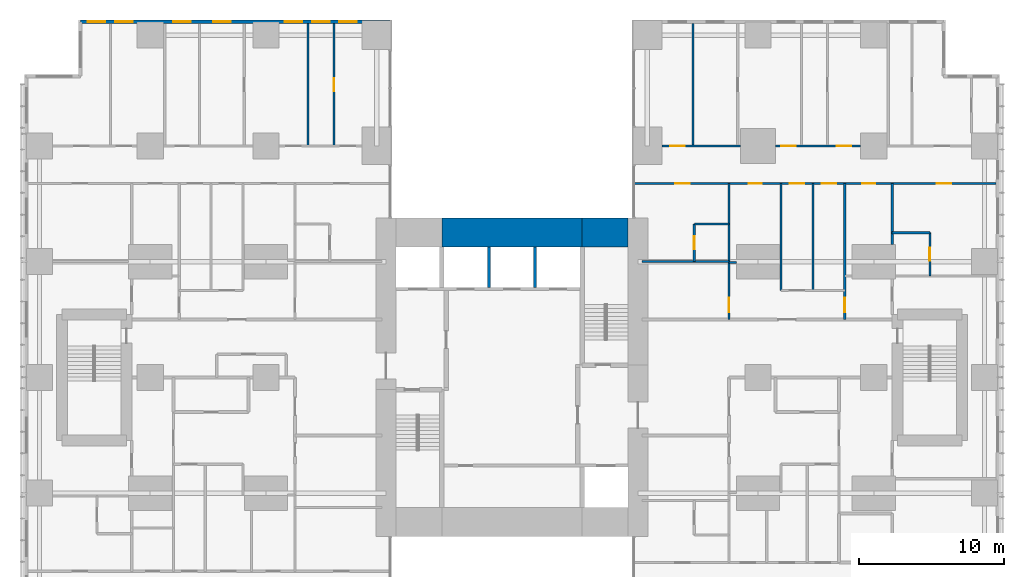
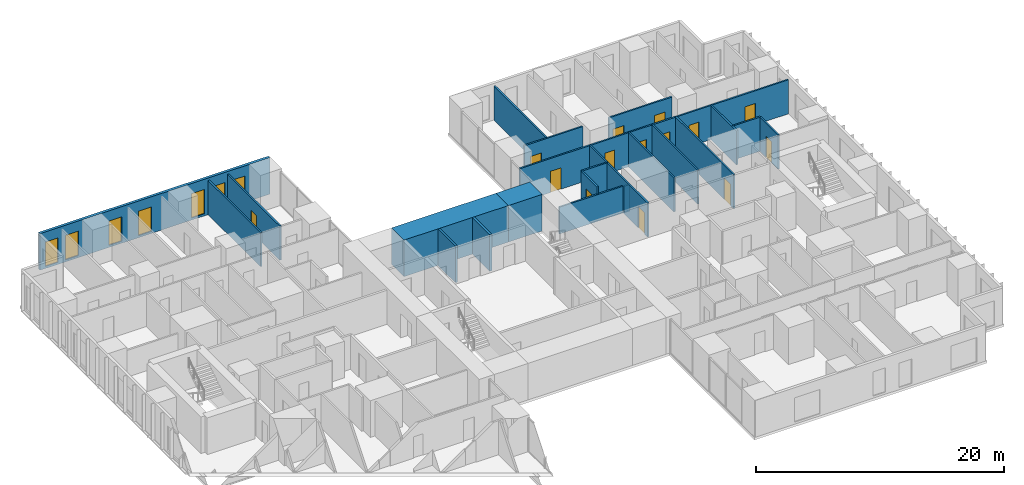
# One storey, part 17 of 20: 22 walls, 14 doors, 7 windows, 21 openings.
"""IFC4 building model written with IfcOpenShell, lengths in metres."""

from ifc_helpers import new_model, si_unit, direction, frame, frame_2d, origin, place, context, subcontext, project, spatial, rectangle, extrude, material, layer, layer_set, type_object, element, fill, save


model = new_model("IFC4")

# Units and contexts
model_context = context("Model", 3, precision=1e-05, world=origin(), true_north=direction((0.0, 1.0)))
body_context = subcontext(model_context, "Body", "Model", "MODEL_VIEW")
ifc_project = project(units=[si_unit("LENGTHUNIT", "METRE"), si_unit("AREAUNIT", "SQUARE_METRE"), si_unit("VOLUMEUNIT", "CUBIC_METRE"), si_unit("PLANEANGLEUNIT", "RADIAN"), si_unit("MASSUNIT", "GRAM", prefix="KILO")], contexts=[model_context])

# Site, building, storey
site_placement = place(None, origin())
site = spatial("IfcSite", under=ifc_project, at=site_placement, CompositionType="ELEMENT")
building_placement = place(site_placement, origin())
building = spatial("IfcBuilding", under=site, at=building_placement, Name="Cleftline Residences", CompositionType="ELEMENT")
storey_placement = place(building_placement, frame((0.0, 0.0, 189.39990234375)))
storey = spatial("IfcBuildingStorey", under=building, at=storey_placement, Name="L49", CompositionType="ELEMENT", Elevation=189.39990234375)

# Walls
ifc_material_1 = material(Name="Concrete B70", Category="concrete")
ifc_layer_1 = layer(ifc_material_1, 2.0)
ifc_layer_set_1 = layer_set([ifc_layer_1], Name="CORE WALL 2000")
wall_type_1 = type_object("IfcWallType", Name="CORE WALL 2000", PredefinedType="SHEAR", material=ifc_layer_set_1)
wall_1_placement = place(storey_placement, frame((28.14990234375, 34.0, 0.0), z_axis=(0.0, 0.0, 1.0), x_axis=(1.0, 0.0, 0.0)))
element("IfcWall", 1, at=wall_1_placement, inside=storey, type_object=wall_type_1, Name="Core wall N2", PredefinedType="SHEAR", context=body_context, shape_type="SweptSolid", body=[
    extrude(rectangle(XDim=9.7001953125, YDim=2.0, at=frame_2d((4.85009765625, 0.0))), origin(), (0.0, 0.0, 1.0), 3.60009765625),
])
wall_2_placement = place(storey_placement, frame((37.85009765625, 34.0, 0.0), z_axis=(0.0, 0.0, 1.0), x_axis=(1.0, 0.0, 0.0)))
element("IfcWall", 2, at=wall_2_placement, inside=storey, type_object=wall_type_1, Name="Core wall N3", PredefinedType="SHEAR", context=body_context, shape_type="SweptSolid", body=[
    extrude(rectangle(XDim=3.14990234375, YDim=2.0, at=frame_2d((1.574951171875, 0.0))), origin(), (0.0, 0.0, 1.0), 3.60009765625),
])

# Wall, openings, windows
ifc_material_2 = material(Name="Rendered reinforced concrete blockwork", Category="masonry")
ifc_layer_2 = layer(ifc_material_2, 0.25)
ifc_layer_set_2 = layer_set([ifc_layer_2], Name="EXTERNAL WALL 250")
wall_type_2 = type_object("IfcWallType", Name="EXTERNAL WALL 250", PredefinedType="SOLIDWALL", material=ifc_layer_set_2)
wall_3_placement = place(storey_placement, frame((24.574951171875, 48.574951171875, 0.0), z_axis=(0.0, 0.0, 1.0), x_axis=(-1.0, 0.0, 0.0)))
wall_3 = element("IfcWall", 3, at=wall_3_placement, inside=storey, type_object=wall_type_2, Name="External wall", PredefinedType="SOLIDWALL", context=body_context, shape_type="SweptSolid", body=[
    extrude(rectangle(XDim=21.39990234375, YDim=0.25, at=frame_2d((10.699951171875, 0.0))), origin(), (0.0, 0.0, 1.0), 3.60009765625),
])
opening_1_placement = place(wall_3_placement, frame((2.300048828125, 0.0, 0.199951171875)))
opening_1 = element("IfcOpeningElement", 4, at=opening_1_placement, cuts=wall_3, Name="Opening W13", PredefinedType="OPENING", context=body_context, shape_type="SweptSolid", body=[
    extrude(rectangle(XDim=1.199951171875, YDim=2.39990234375, at=frame_2d((0.60009765625, 1.199951171875))), frame((0.0, 0.135009765625, 0.0), z_axis=(0.0, -1.0, 0.0), x_axis=(1.0, 0.0, 0.0)), (0.0, 0.0, 1.0), 0.27001953125),
])
opening_2_placement = place(wall_3_placement, frame((4.175048828125, 0.0, 0.199951171875)))
opening_2 = element("IfcOpeningElement", 5, at=opening_2_placement, cuts=wall_3, Name="Opening W13", PredefinedType="OPENING", context=body_context, shape_type="SweptSolid", body=[
    extrude(rectangle(XDim=1.199951171875, YDim=2.39990234375, at=frame_2d((0.60009765625, 1.199951171875))), frame((0.0, 0.135009765625, 0.0), z_axis=(0.0, -1.0, 0.0), x_axis=(1.0, 0.0, 0.0)), (0.0, 0.0, 1.0), 0.27001953125),
])
opening_3_placement = place(wall_3_placement, frame((6.074951171875, 0.0, 0.199951171875)))
opening_3 = element("IfcOpeningElement", 6, at=opening_3_placement, cuts=wall_3, Name="Opening W13", PredefinedType="OPENING", context=body_context, shape_type="SweptSolid", body=[
    extrude(rectangle(XDim=1.199951171875, YDim=2.39990234375, at=frame_2d((0.60009765625, 1.199951171875))), frame((0.0, 0.135009765625, 0.0), z_axis=(0.0, -1.0, 0.0), x_axis=(1.0, 0.0, 0.0)), (0.0, 0.0, 1.0), 0.27001953125),
])
opening_4_placement = place(wall_3_placement, frame((11.02490234375, 0.0, 0.199951171875)))
opening_4 = element("IfcOpeningElement", 7, at=opening_4_placement, cuts=wall_3, Name="Opening W13", PredefinedType="OPENING", context=body_context, shape_type="SweptSolid", body=[
    extrude(rectangle(XDim=1.199951171875, YDim=2.39990234375, at=frame_2d((0.60009765625, 1.199951171875))), frame((0.0, 0.135009765625, 0.0), z_axis=(0.0, -1.0, 0.0), x_axis=(1.0, 0.0, 0.0)), (0.0, 0.0, 1.0), 0.27001953125),
])
opening_5_placement = place(wall_3_placement, frame((13.77490234375, 0.0, 0.199951171875)))
opening_5 = element("IfcOpeningElement", 8, at=opening_5_placement, cuts=wall_3, Name="Opening W13", PredefinedType="OPENING", context=body_context, shape_type="SweptSolid", body=[
    extrude(rectangle(XDim=1.199951171875, YDim=2.39990234375, at=frame_2d((0.60009765625, 1.199951171875))), frame((0.0, 0.135009765625, 0.0), z_axis=(0.0, -1.0, 0.0), x_axis=(1.0, 0.0, 0.0)), (0.0, 0.0, 1.0), 0.27001953125),
])
opening_6_placement = place(wall_3_placement, frame((17.800048828125, 0.0, 0.199951171875)))
opening_6 = element("IfcOpeningElement", 9, at=opening_6_placement, cuts=wall_3, Name="Opening W13", PredefinedType="OPENING", context=body_context, shape_type="SweptSolid", body=[
    extrude(rectangle(XDim=1.199951171875, YDim=2.39990234375, at=frame_2d((0.60009765625, 1.199951171875))), frame((0.0, 0.135009765625, 0.0), z_axis=(0.0, -1.0, 0.0), x_axis=(1.0, 0.0, 0.0)), (0.0, 0.0, 1.0), 0.27001953125),
])
opening_7_placement = place(wall_3_placement, frame((19.699951171875, 0.0, 0.199951171875)))
opening_7 = element("IfcOpeningElement", 10, at=opening_7_placement, cuts=wall_3, Name="Opening W13", PredefinedType="OPENING", context=body_context, shape_type="SweptSolid", body=[
    extrude(rectangle(XDim=1.199951171875, YDim=2.39990234375, at=frame_2d((0.60009765625, 1.199951171875))), frame((0.0, 0.135009765625, 0.0), z_axis=(0.0, -1.0, 0.0), x_axis=(1.0, 0.0, 0.0)), (0.0, 0.0, 1.0), 0.27001953125),
])
ifc_material_3 = material(Name="Aluminium frame, clear double glazing", Category="aluminium")
window_type = type_object("IfcWindowType", Name="WINDOW 1200X2400", PartitioningType="DOUBLE_PANEL_VERTICAL", PredefinedType="WINDOW", material=ifc_material_3)
window_1_placement = place(opening_1_placement, origin())
window_1 = element("IfcWindow", 11, at=window_1_placement, inside=storey, type_object=window_type, Name="Window", OverallHeight=2.39990234375, OverallWidth=1.199951171875, PartitioningType="SINGLE_PANEL", PredefinedType="WINDOW", context=body_context, shape_type="SweptSolid", body=[
    extrude(rectangle(XDim=1.199951171875, YDim=2.39990234375, at=frame_2d((0.60009765625, 1.199951171875))), frame((0.0, 0.030029296875, 0.0), z_axis=(0.0, -1.0, 0.0), x_axis=(1.0, 0.0, 0.0)), (0.0, 0.0, 1.0), 0.06005859375),
])
fill(opening_1, window_1)
window_2_placement = place(opening_2_placement, origin())
window_2 = element("IfcWindow", 12, at=window_2_placement, inside=storey, type_object=window_type, Name="Window", OverallHeight=2.39990234375, OverallWidth=1.199951171875, PartitioningType="SINGLE_PANEL", PredefinedType="WINDOW", context=body_context, shape_type="SweptSolid", body=[
    extrude(rectangle(XDim=1.199951171875, YDim=2.39990234375, at=frame_2d((0.60009765625, 1.199951171875))), frame((0.0, 0.030029296875, 0.0), z_axis=(0.0, -1.0, 0.0), x_axis=(1.0, 0.0, 0.0)), (0.0, 0.0, 1.0), 0.06005859375),
])
fill(opening_2, window_2)
window_3_placement = place(opening_3_placement, origin())
window_3 = element("IfcWindow", 13, at=window_3_placement, inside=storey, type_object=window_type, Name="Window", OverallHeight=2.39990234375, OverallWidth=1.199951171875, PartitioningType="SINGLE_PANEL", PredefinedType="WINDOW", context=body_context, shape_type="SweptSolid", body=[
    extrude(rectangle(XDim=1.199951171875, YDim=2.39990234375, at=frame_2d((0.60009765625, 1.199951171875))), frame((0.0, 0.030029296875, 0.0), z_axis=(0.0, -1.0, 0.0), x_axis=(1.0, 0.0, 0.0)), (0.0, 0.0, 1.0), 0.06005859375),
])
fill(opening_3, window_3)
window_4_placement = place(opening_4_placement, origin())
window_4 = element("IfcWindow", 14, at=window_4_placement, inside=storey, type_object=window_type, Name="Window", OverallHeight=2.39990234375, OverallWidth=1.199951171875, PartitioningType="SINGLE_PANEL", PredefinedType="WINDOW", context=body_context, shape_type="SweptSolid", body=[
    extrude(rectangle(XDim=1.199951171875, YDim=2.39990234375, at=frame_2d((0.60009765625, 1.199951171875))), frame((0.0, 0.030029296875, 0.0), z_axis=(0.0, -1.0, 0.0), x_axis=(1.0, 0.0, 0.0)), (0.0, 0.0, 1.0), 0.06005859375),
])
fill(opening_4, window_4)
window_5_placement = place(opening_5_placement, origin())
window_5 = element("IfcWindow", 15, at=window_5_placement, inside=storey, type_object=window_type, Name="Window", OverallHeight=2.39990234375, OverallWidth=1.199951171875, PartitioningType="SINGLE_PANEL", PredefinedType="WINDOW", context=body_context, shape_type="SweptSolid", body=[
    extrude(rectangle(XDim=1.199951171875, YDim=2.39990234375, at=frame_2d((0.60009765625, 1.199951171875))), frame((0.0, 0.030029296875, 0.0), z_axis=(0.0, -1.0, 0.0), x_axis=(1.0, 0.0, 0.0)), (0.0, 0.0, 1.0), 0.06005859375),
])
fill(opening_5, window_5)
window_6_placement = place(opening_6_placement, origin())
window_6 = element("IfcWindow", 16, at=window_6_placement, inside=storey, type_object=window_type, Name="Window", OverallHeight=2.39990234375, OverallWidth=1.199951171875, PartitioningType="SINGLE_PANEL", PredefinedType="WINDOW", context=body_context, shape_type="SweptSolid", body=[
    extrude(rectangle(XDim=1.199951171875, YDim=2.39990234375, at=frame_2d((0.60009765625, 1.199951171875))), frame((0.0, 0.030029296875, 0.0), z_axis=(0.0, -1.0, 0.0), x_axis=(1.0, 0.0, 0.0)), (0.0, 0.0, 1.0), 0.06005859375),
])
fill(opening_6, window_6)
window_7_placement = place(opening_7_placement, origin())
window_7 = element("IfcWindow", 17, at=window_7_placement, inside=storey, type_object=window_type, Name="Window", OverallHeight=2.39990234375, OverallWidth=1.199951171875, PartitioningType="SINGLE_PANEL", PredefinedType="WINDOW", context=body_context, shape_type="SweptSolid", body=[
    extrude(rectangle(XDim=1.199951171875, YDim=2.39990234375, at=frame_2d((0.60009765625, 1.199951171875))), frame((0.0, 0.030029296875, 0.0), z_axis=(0.0, -1.0, 0.0), x_axis=(1.0, 0.0, 0.0)), (0.0, 0.0, 1.0), 0.06005859375),
])
fill(opening_7, window_7)

# Walls
ifc_material_4 = material(Name="Gypsum board on steel studs", Category="steel")
ifc_layer_3 = layer(ifc_material_4, 0.14990234375)
ifc_layer_set_3 = layer_set([ifc_layer_3], Name="PARTITION 150")
wall_type_3 = type_object("IfcWallType", Name="PARTITION 150", PredefinedType="PARTITIONING", material=ifc_layer_set_3)
wall_4_placement = place(storey_placement, frame((48.0, 31.949951171875, 0.0), z_axis=(0.0, 0.0, 1.0), x_axis=(1.0, 0.0, 0.0)))
element("IfcWall", 18, at=wall_4_placement, inside=storey, type_object=wall_type_3, Name="Partition", PredefinedType="PARTITIONING", context=body_context, shape_type="SweptSolid", body=[
    extrude(rectangle(XDim=0.5, YDim=0.14990234375, at=frame_2d((0.25, 0.0))), origin(), (0.0, 0.0, 1.0), 2.634033203125),
])
wall_5_placement = place(storey_placement, frame((42.0, 32.0, 0.0), z_axis=(0.0, 0.0, 1.0), x_axis=(1.0, 0.0, 0.0)))
element("IfcWall", 19, at=wall_5_placement, inside=storey, type_object=wall_type_3, Name="Partition", PredefinedType="PARTITIONING", context=body_context, shape_type="SweptSolid", body=[
    extrude(rectangle(XDim=6.0, YDim=0.14990234375, at=frame_2d((3.0, 0.0))), origin(), (0.0, 0.0, 1.0), 2.634033203125),
])
wall_6_placement = place(storey_placement, frame((59.27490234375, 34.0, 0.0), z_axis=(0.0, 0.0, 1.0), x_axis=(1.0, 0.0, 0.0)))
element("IfcWall", 20, at=wall_6_placement, inside=storey, type_object=wall_type_3, Name="Partition", PredefinedType="PARTITIONING", context=body_context, shape_type="SweptSolid", body=[
    extrude(rectangle(XDim=2.60009765625, YDim=0.14990234375, at=frame_2d((1.300048828125, 0.0))), origin(), (0.0, 0.0, 1.0), 3.35009765625),
])
wall_7_placement = place(storey_placement, frame((45.60009765625, 34.60009765625, 0.0), z_axis=(0.0, 0.0, 1.0), x_axis=(1.0, 0.0, 0.0)))
element("IfcWall", 21, at=wall_7_placement, inside=storey, type_object=wall_type_3, Name="Partition", PredefinedType="PARTITIONING", context=body_context, shape_type="SweptSolid", body=[
    extrude(rectangle(XDim=2.39990234375, YDim=0.14990234375, at=frame_2d((1.199951171875, 0.0))), origin(), (0.0, 0.0, 1.0), 3.35009765625),
])

# Wall, openings, doors
wall_8_placement = place(storey_placement, frame((41.43896484375, 37.39990234375, 0.0), z_axis=(0.0, 0.0, 1.0), x_axis=(1.0, 0.0, 0.0)))
wall_8 = element("IfcWall", 22, at=wall_8_placement, inside=storey, type_object=wall_type_3, Name="Partition", PredefinedType="PARTITIONING", context=body_context, shape_type="SweptSolid", body=[
    extrude(rectangle(XDim=25.010986328125, YDim=0.14990234375, at=frame_2d((12.50537109375, 0.0))), origin(), (0.0, 0.0, 1.0), 3.35009765625),
])
opening_8_placement = place(wall_8_placement, frame((10.760986328125, 0.0, 0.0)))
opening_8 = element("IfcOpeningElement", 23, at=opening_8_placement, cuts=wall_8, Name="Opening D2", PredefinedType="OPENING", context=body_context, shape_type="SweptSolid", body=[
    extrude(rectangle(XDim=1.0, YDim=2.10009765625, at=frame_2d((0.5, 1.050048828125))), frame((0.0, 0.0849609375, 0.0), z_axis=(0.0, -1.0, 0.0), x_axis=(1.0, 0.0, 0.0)), (0.0, 0.0, 1.0), 0.169921875),
])
opening_9_placement = place(wall_8_placement, frame((20.923583984375, 0.0, 0.0)))
opening_9 = element("IfcOpeningElement", 24, at=opening_9_placement, cuts=wall_8, Name="Opening D2", PredefinedType="OPENING", context=body_context, shape_type="SweptSolid", body=[
    extrude(rectangle(XDim=1.0, YDim=2.10009765625, at=frame_2d((0.5, 1.050048828125))), frame((0.0, 0.0849609375, 0.0), z_axis=(0.0, -1.0, 0.0), x_axis=(1.0, 0.0, 0.0)), (0.0, 0.0, 1.0), 0.169921875),
])
opening_10_placement = place(wall_8_placement, frame((15.74853515625, 0.0, 0.0)))
opening_10 = element("IfcOpeningElement", 25, at=opening_10_placement, cuts=wall_8, Name="Opening D1", PredefinedType="OPENING", context=body_context, shape_type="SweptSolid", body=[
    extrude(rectangle(XDim=0.89990234375, YDim=2.10009765625, at=frame_2d((0.449951171875, 1.050048828125))), frame((0.0, 0.0849609375, 0.0), z_axis=(0.0, -1.0, 0.0), x_axis=(1.0, 0.0, 0.0)), (0.0, 0.0, 1.0), 0.169921875),
])
opening_11_placement = place(wall_8_placement, frame((12.9609375, 0.0, 0.0)))
opening_11 = element("IfcOpeningElement", 26, at=opening_11_placement, cuts=wall_8, Name="Opening D2", PredefinedType="OPENING", context=body_context, shape_type="SweptSolid", body=[
    extrude(rectangle(XDim=1.0, YDim=2.10009765625, at=frame_2d((0.5, 1.050048828125))), frame((0.0, 0.0849609375, 0.0), z_axis=(0.0, -1.0, 0.0), x_axis=(1.0, 0.0, 0.0)), (0.0, 0.0, 1.0), 0.169921875),
])
opening_12_placement = place(wall_8_placement, frame((7.910888671875, 0.0, 0.0)))
opening_12 = element("IfcOpeningElement", 27, at=opening_12_placement, cuts=wall_8, Name="Opening D1", PredefinedType="OPENING", context=body_context, shape_type="SweptSolid", body=[
    extrude(rectangle(XDim=0.89990234375, YDim=2.10009765625, at=frame_2d((0.449951171875, 1.050048828125))), frame((0.0, 0.0849609375, 0.0), z_axis=(0.0, -1.0, 0.0), x_axis=(1.0, 0.0, 0.0)), (0.0, 0.0, 1.0), 0.169921875),
])
opening_13_placement = place(wall_8_placement, frame((2.8359375, 0.0, 0.0)))
opening_13 = element("IfcOpeningElement", 28, at=opening_13_placement, cuts=wall_8, Name="Opening D2", PredefinedType="OPENING", context=body_context, shape_type="SweptSolid", body=[
    extrude(rectangle(XDim=1.0, YDim=2.10009765625, at=frame_2d((0.5, 1.050048828125))), frame((0.0, 0.0849609375, 0.0), z_axis=(0.0, -1.0, 0.0), x_axis=(1.0, 0.0, 0.0)), (0.0, 0.0, 1.0), 0.169921875),
])
ifc_material_5 = material(Name="Timber veneer on solid core", Category="wood")
door_type_1 = type_object("IfcDoorType", Name="DOOR 1000X2100", OperationType="SINGLE_SWING_LEFT", PredefinedType="DOOR", material=ifc_material_5)
door_1_placement = place(opening_8_placement, origin())
door_1 = element("IfcDoor", 29, at=door_1_placement, inside=storey, type_object=door_type_1, Name="Door to residence hall", OperationType="SINGLE_SWING_RIGHT", OverallHeight=2.10009765625, OverallWidth=1.0, PredefinedType="DOOR", context=body_context, shape_type="SweptSolid", body=[
    extrude(rectangle(XDim=1.0, YDim=2.10009765625, at=frame_2d((0.5, 1.050048828125))), frame((0.0, 0.02490234375, 0.0), z_axis=(0.0, -1.0, 0.0), x_axis=(1.0, 0.0, 0.0)), (0.0, 0.0, 1.0), 0.050048828125),
])
fill(opening_8, door_1)
door_2_placement = place(opening_9_placement, origin())
door_2 = element("IfcDoor", 30, at=door_2_placement, inside=storey, type_object=door_type_1, Name="Door to master bedroom", OperationType="SINGLE_SWING_LEFT", OverallHeight=2.10009765625, OverallWidth=1.0, PredefinedType="DOOR", context=body_context, shape_type="SweptSolid", body=[
    extrude(rectangle(XDim=1.0, YDim=2.10009765625, at=frame_2d((0.5, 1.050048828125))), frame((0.0, 0.02490234375, 0.0), z_axis=(0.0, -1.0, 0.0), x_axis=(1.0, 0.0, 0.0)), (0.0, 0.0, 1.0), 0.050048828125),
])
fill(opening_9, door_2)
door_3_placement = place(opening_11_placement, origin())
door_3 = element("IfcDoor", 31, at=door_3_placement, inside=storey, type_object=door_type_1, Name="Door to media room", OperationType="SINGLE_SWING_LEFT", OverallHeight=2.10009765625, OverallWidth=1.0, PredefinedType="DOOR", context=body_context, shape_type="SweptSolid", body=[
    extrude(rectangle(XDim=1.0, YDim=2.10009765625, at=frame_2d((0.5, 1.050048828125))), frame((0.0, 0.02490234375, 0.0), z_axis=(0.0, -1.0, 0.0), x_axis=(1.0, 0.0, 0.0)), (0.0, 0.0, 1.0), 0.050048828125),
])
fill(opening_11, door_3)
door_4_placement = place(opening_13_placement, origin())
door_4 = element("IfcDoor", 32, at=door_4_placement, inside=storey, type_object=door_type_1, Name="Door to bedroom 5", OperationType="SINGLE_SWING_RIGHT", OverallHeight=2.10009765625, OverallWidth=1.0, PredefinedType="DOOR", context=body_context, shape_type="SweptSolid", body=[
    extrude(rectangle(XDim=1.0, YDim=2.10009765625, at=frame_2d((0.5, 1.050048828125))), frame((0.0, 0.02490234375, 0.0), z_axis=(0.0, -1.0, 0.0), x_axis=(1.0, 0.0, 0.0)), (0.0, 0.0, 1.0), 0.050048828125),
])
fill(opening_13, door_4)
ifc_material_6 = material(Name="Timber veneer on solid core", Category="wood")
door_type_2 = type_object("IfcDoorType", Name="DOOR 900X2100", OperationType="SINGLE_SWING_LEFT", PredefinedType="DOOR", material=ifc_material_6)
door_5_placement = place(opening_10_placement, origin())
door_5 = element("IfcDoor", 33, at=door_5_placement, inside=storey, type_object=door_type_2, Name="Door to bedroom 2 bathroom", OperationType="SINGLE_SWING_LEFT", OverallHeight=2.10009765625, OverallWidth=0.89990234375, PredefinedType="DOOR", context=body_context, shape_type="SweptSolid", body=[
    extrude(rectangle(XDim=0.89990234375, YDim=2.10009765625, at=frame_2d((0.449951171875, 1.050048828125))), frame((0.0, 0.02490234375, 0.0), z_axis=(0.0, -1.0, 0.0), x_axis=(1.0, 0.0, 0.0)), (0.0, 0.0, 1.0), 0.050048828125),
])
fill(opening_10, door_5)
door_6_placement = place(opening_12_placement, origin())
door_6 = element("IfcDoor", 34, at=door_6_placement, inside=storey, type_object=door_type_2, Name="Door to linen store", OperationType="SINGLE_SWING_RIGHT", OverallHeight=2.10009765625, OverallWidth=0.89990234375, PredefinedType="DOOR", context=body_context, shape_type="SweptSolid", body=[
    extrude(rectangle(XDim=0.89990234375, YDim=2.10009765625, at=frame_2d((0.449951171875, 1.050048828125))), frame((0.0, 0.02490234375, 0.0), z_axis=(0.0, -1.0, 0.0), x_axis=(1.0, 0.0, 0.0)), (0.0, 0.0, 1.0), 0.050048828125),
])
fill(opening_12, door_6)

# Wall, opening, door
wall_9_placement = place(storey_placement, frame((43.35009765625, 40.0, 0.0), z_axis=(0.0, 0.0, 1.0), x_axis=(1.0, 0.0, 0.0)))
wall_9 = element("IfcWall", 35, at=wall_9_placement, inside=storey, type_object=wall_type_3, Name="Partition", PredefinedType="PARTITIONING", context=body_context, shape_type="SweptSolid", body=[
    extrude(rectangle(XDim=5.449951171875, YDim=0.14990234375, at=frame_2d((2.72509765625, 0.0))), origin(), (0.0, 0.0, 1.0), 3.35009765625),
])
opening_14_placement = place(wall_9_placement, frame((0.574951171875, 0.0, 0.0)))
opening_14 = element("IfcOpeningElement", 36, at=opening_14_placement, cuts=wall_9, Name="Opening D2", PredefinedType="OPENING", context=body_context, shape_type="SweptSolid", body=[
    extrude(rectangle(XDim=1.0, YDim=2.10009765625, at=frame_2d((0.5, 1.050048828125))), frame((0.0, 0.0849609375, 0.0), z_axis=(0.0, -1.0, 0.0), x_axis=(1.0, 0.0, 0.0)), (0.0, 0.0, 1.0), 0.169921875),
])
door_7_placement = place(opening_14_placement, origin())
door_7 = element("IfcDoor", 37, at=door_7_placement, inside=storey, type_object=door_type_1, Name="Door to family room", OperationType="SINGLE_SWING_RIGHT", OverallHeight=2.10009765625, OverallWidth=1.0, PredefinedType="DOOR", context=body_context, shape_type="SweptSolid", body=[
    extrude(rectangle(XDim=1.0, YDim=2.10009765625, at=frame_2d((0.5, 1.050048828125))), frame((0.0, 0.02490234375, 0.0), z_axis=(0.0, -1.0, 0.0), x_axis=(1.0, 0.0, 0.0)), (0.0, 0.0, 1.0), 0.050048828125),
])
fill(opening_14, door_7)

# Wall, openings, doors
wall_10_placement = place(storey_placement, frame((51.199951171875, 40.0, 0.0), z_axis=(0.0, 0.0, 1.0), x_axis=(1.0, 0.0, 0.0)))
wall_10 = element("IfcWall", 38, at=wall_10_placement, inside=storey, type_object=wall_type_3, Name="Partition", PredefinedType="PARTITIONING", context=body_context, shape_type="SweptSolid", body=[
    extrude(rectangle(XDim=5.900146484375, YDim=0.14990234375, at=frame_2d((2.9501953125, 0.0))), origin(), (0.0, 0.0, 1.0), 3.35009765625),
])
opening_15_placement = place(wall_10_placement, frame((4.25, 0.0, 0.0)))
opening_15 = element("IfcOpeningElement", 39, at=opening_15_placement, cuts=wall_10, Name="Opening D2", PredefinedType="OPENING", context=body_context, shape_type="SweptSolid", body=[
    extrude(rectangle(XDim=1.0, YDim=2.10009765625, at=frame_2d((0.5, 1.050048828125))), frame((0.0, 0.0849609375, 0.0), z_axis=(0.0, -1.0, 0.0), x_axis=(1.0, 0.0, 0.0)), (0.0, 0.0, 1.0), 0.169921875),
])
opening_16_placement = place(wall_10_placement, frame((0.39990234375, 0.0, 0.0)))
opening_16 = element("IfcOpeningElement", 40, at=opening_16_placement, cuts=wall_10, Name="Opening D2", PredefinedType="OPENING", context=body_context, shape_type="SweptSolid", body=[
    extrude(rectangle(XDim=1.0, YDim=2.10009765625, at=frame_2d((0.5, 1.050048828125))), frame((0.0, 0.0849609375, 0.0), z_axis=(0.0, -1.0, 0.0), x_axis=(1.0, 0.0, 0.0)), (0.0, 0.0, 1.0), 0.169921875),
])
door_8_placement = place(opening_15_placement, origin())
door_8 = element("IfcDoor", 41, at=door_8_placement, inside=storey, type_object=door_type_1, Name="Door to bedroom 3", OperationType="SINGLE_SWING_LEFT", OverallHeight=2.10009765625, OverallWidth=1.0, PredefinedType="DOOR", context=body_context, shape_type="SweptSolid", body=[
    extrude(rectangle(XDim=1.0, YDim=2.10009765625, at=frame_2d((0.5, 1.050048828125))), frame((0.0, 0.02490234375, 0.0), z_axis=(0.0, -1.0, 0.0), x_axis=(1.0, 0.0, 0.0)), (0.0, 0.0, 1.0), 0.050048828125),
])
fill(opening_15, door_8)
door_9_placement = place(opening_16_placement, origin())
door_9 = element("IfcDoor", 42, at=door_9_placement, inside=storey, type_object=door_type_1, Name="Door to bedroom 4", OperationType="SINGLE_SWING_RIGHT", OverallHeight=2.10009765625, OverallWidth=1.0, PredefinedType="DOOR", context=body_context, shape_type="SweptSolid", body=[
    extrude(rectangle(XDim=1.0, YDim=2.10009765625, at=frame_2d((0.5, 1.050048828125))), frame((0.0, 0.02490234375, 0.0), z_axis=(0.0, -1.0, 0.0), x_axis=(1.0, 0.0, 0.0)), (0.0, 0.0, 1.0), 0.050048828125),
])
fill(opening_16, door_9)

# Wall
wall_11_placement = place(storey_placement, frame((18.89990234375, 40.0, 0.0), z_axis=(0.0, 0.0, 1.0), x_axis=(0.0, 1.0, 0.0)))
element("IfcWall", 43, at=wall_11_placement, inside=storey, type_object=wall_type_3, Name="Partition", PredefinedType="PARTITIONING", context=body_context, shape_type="SweptSolid", body=[
    extrude(rectangle(XDim=8.449951171875, YDim=0.14990234375, at=frame_2d((4.22509765625, 0.0))), origin(), (0.0, 0.0, 1.0), 3.35009765625),
])

# Wall, opening, door
wall_12_placement = place(storey_placement, frame((20.699951171875, 40.0, 0.0), z_axis=(0.0, 0.0, 1.0), x_axis=(0.0, 1.0, 0.0)))
wall_12 = element("IfcWall", 44, at=wall_12_placement, inside=storey, type_object=wall_type_3, Name="Partition", PredefinedType="PARTITIONING", context=body_context, shape_type="SweptSolid", body=[
    extrude(rectangle(XDim=8.449951171875, YDim=0.14990234375, at=frame_2d((4.22509765625, 0.0))), origin(), (0.0, 0.0, 1.0), 3.35009765625),
])
opening_17_placement = place(wall_12_placement, frame((3.77490234375, 0.0, 0.0)))
opening_17 = element("IfcOpeningElement", 45, at=opening_17_placement, cuts=wall_12, Name="Opening D1", PredefinedType="OPENING", context=body_context, shape_type="SweptSolid", body=[
    extrude(rectangle(XDim=0.89990234375, YDim=2.10009765625, at=frame_2d((0.449951171875, 1.050048828125))), frame((0.0, 0.0849609375, 0.0), z_axis=(0.0, -1.0, 0.0), x_axis=(1.0, 0.0, 0.0)), (0.0, 0.0, 1.0), 0.169921875),
])
door_10_placement = place(opening_17_placement, origin())
door_10 = element("IfcDoor", 46, at=door_10_placement, inside=storey, type_object=door_type_2, Name="Door to en-suite bathroom 3", OperationType="SINGLE_SWING_LEFT", OverallHeight=2.10009765625, OverallWidth=0.89990234375, PredefinedType="DOOR", context=body_context, shape_type="SweptSolid", body=[
    extrude(rectangle(XDim=0.89990234375, YDim=2.10009765625, at=frame_2d((0.449951171875, 1.050048828125))), frame((0.0, 0.02490234375, 0.0), z_axis=(0.0, -1.0, 0.0), x_axis=(1.0, 0.0, 0.0)), (0.0, 0.0, 1.0), 0.050048828125),
])
fill(opening_17, door_10)

# Wall
wall_13_placement = place(storey_placement, frame((45.5, 40.0, 0.0), z_axis=(0.0, 0.0, 1.0), x_axis=(0.0, 1.0, 0.0)))
element("IfcWall", 47, at=wall_13_placement, inside=storey, type_object=wall_type_3, Name="Partition", PredefinedType="PARTITIONING", context=body_context, shape_type="SweptSolid", body=[
    extrude(rectangle(XDim=8.449951171875, YDim=0.14990234375, at=frame_2d((4.22509765625, 0.0))), origin(), (0.0, 0.0, 1.0), 3.35009765625),
])

# Wall, opening, door
wall_14_placement = place(storey_placement, frame((45.60009765625, 32.0, 0.0), z_axis=(0.0, 0.0, 1.0), x_axis=(0.0, 1.0, 0.0)))
wall_14 = element("IfcWall", 48, at=wall_14_placement, inside=storey, type_object=wall_type_3, Name="Partition", PredefinedType="PARTITIONING", context=body_context, shape_type="SweptSolid", body=[
    extrude(rectangle(XDim=2.60009765625, YDim=0.14990234375, at=frame_2d((1.300048828125, 0.0))), origin(), (0.0, 0.0, 1.0), 3.35009765625),
])
opening_18_placement = place(wall_14_placement, frame((0.85009765625, 0.0, 0.0)))
opening_18 = element("IfcOpeningElement", 49, at=opening_18_placement, cuts=wall_14, Name="Opening D1", PredefinedType="OPENING", context=body_context, shape_type="SweptSolid", body=[
    extrude(rectangle(XDim=0.89990234375, YDim=2.10009765625, at=frame_2d((0.449951171875, 1.050048828125))), frame((0.0, 0.0849609375, 0.0), z_axis=(0.0, -1.0, 0.0), x_axis=(1.0, 0.0, 0.0)), (0.0, 0.0, 1.0), 0.169921875),
])
door_11_placement = place(opening_18_placement, origin())
door_11 = element("IfcDoor", 50, at=door_11_placement, inside=storey, type_object=door_type_2, Name="Door to en-suite bathroom 5", OperationType="SINGLE_SWING_LEFT", OverallHeight=2.10009765625, OverallWidth=0.89990234375, PredefinedType="DOOR", context=body_context, shape_type="SweptSolid", body=[
    extrude(rectangle(XDim=0.89990234375, YDim=2.10009765625, at=frame_2d((0.449951171875, 1.050048828125))), frame((0.0, 0.02490234375, 0.0), z_axis=(0.0, -1.0, 0.0), x_axis=(1.0, 0.0, 0.0)), (0.0, 0.0, 1.0), 0.050048828125),
])
fill(opening_18, door_11)

wall_15_placement = place(storey_placement, frame((48.0, 28.0, 0.0), z_axis=(0.0, 0.0, 1.0), x_axis=(0.0, 1.0, 0.0)))
wall_15 = element("IfcWall", 51, at=wall_15_placement, inside=storey, type_object=wall_type_3, Name="Partition", PredefinedType="PARTITIONING", context=body_context, shape_type="SweptSolid", body=[
    extrude(rectangle(XDim=9.39990234375, YDim=0.14990234375, at=frame_2d((4.699951171875, 0.0))), origin(), (0.0, 0.0, 1.0), 3.35009765625),
])
opening_19_placement = place(wall_15_placement, frame((0.5, 0.0, 0.0)))
opening_19 = element("IfcOpeningElement", 52, at=opening_19_placement, cuts=wall_15, Name="Opening D2", PredefinedType="OPENING", context=body_context, shape_type="SweptSolid", body=[
    extrude(rectangle(XDim=1.0, YDim=2.10009765625, at=frame_2d((0.5, 1.050048828125))), frame((0.0, 0.0849609375, 0.0), z_axis=(0.0, -1.0, 0.0), x_axis=(1.0, 0.0, 0.0)), (0.0, 0.0, 1.0), 0.169921875),
])
door_12_placement = place(opening_19_placement, origin())
door_12 = element("IfcDoor", 53, at=door_12_placement, inside=storey, type_object=door_type_1, Name="Door to morning kitchen", OperationType="SINGLE_SWING_RIGHT", OverallHeight=2.10009765625, OverallWidth=1.0, PredefinedType="DOOR", context=body_context, shape_type="SweptSolid", body=[
    extrude(rectangle(XDim=1.0, YDim=2.10009765625, at=frame_2d((0.5, 1.050048828125))), frame((0.0, 0.02490234375, 0.0), z_axis=(0.0, -1.0, 0.0), x_axis=(1.0, 0.0, 0.0)), (0.0, 0.0, 1.0), 0.050048828125),
])
fill(opening_19, door_12)

# Walls
for number, where, z_axis, x_axis, name in (
    (54, (51.60009765625, 30.0, 0.0), (0.0, 0.0, 1.0), (0.0, 1.0, 0.0), "Partition"),
    (55, (53.800048828125, 30.0, 0.0), (0.0, 0.0, 1.0), (0.0, 1.0, 0.0), "Partition"),
):
    element("IfcWall", number, at=place(storey_placement, frame(where, z_axis=z_axis, x_axis=x_axis)), inside=storey, type_object=wall_type_3, Name=name, PredefinedType="PARTITIONING", context=body_context, shape_type="SweptSolid", body=[
        extrude(rectangle(XDim=7.39990234375, YDim=0.14990234375, at=frame_2d((3.699951171875, 0.0))), origin(), (0.0, 0.0, 1.0), 3.35009765625),
    ])

# Wall, opening, door
wall_16_placement = place(storey_placement, frame((56.0, 28.0, 0.0), z_axis=(0.0, 0.0, 1.0), x_axis=(0.0, 1.0, 0.0)))
wall_16 = element("IfcWall", 56, at=wall_16_placement, inside=storey, type_object=wall_type_3, Name="Partition", PredefinedType="PARTITIONING", context=body_context, shape_type="SweptSolid", body=[
    extrude(rectangle(XDim=9.39990234375, YDim=0.14990234375, at=frame_2d((4.699951171875, 0.0))), origin(), (0.0, 0.0, 1.0), 3.35009765625),
])
opening_20_placement = place(wall_16_placement, frame((0.5, 0.0, 0.0)))
opening_20 = element("IfcOpeningElement", 57, at=opening_20_placement, cuts=wall_16, Name="Opening D2F30", PredefinedType="OPENING", context=body_context, shape_type="SweptSolid", body=[
    extrude(rectangle(XDim=1.0, YDim=2.10009765625, at=frame_2d((0.5, 1.050048828125))), frame((0.0, 0.0849609375, 0.0), z_axis=(0.0, -1.0, 0.0), x_axis=(1.0, 0.0, 0.0)), (0.0, 0.0, 1.0), 0.169921875),
])
ifc_material_7 = material(Name="Timber veneer on solid core", Category="wood")
door_type_3 = type_object("IfcDoorType", Name="DOOR 1000X2100 EI 30", OperationType="SINGLE_SWING_LEFT", PredefinedType="DOOR", material=ifc_material_7)
door_13_placement = place(opening_20_placement, origin())
door_13 = element("IfcDoor", 58, at=door_13_placement, inside=storey, type_object=door_type_3, Name="Door to residence lobby (service)", OperationType="SINGLE_SWING_RIGHT", OverallHeight=2.10009765625, OverallWidth=1.0, PredefinedType="DOOR", context=body_context, shape_type="SweptSolid", body=[
    extrude(rectangle(XDim=1.0, YDim=2.10009765625, at=frame_2d((0.5, 1.050048828125))), frame((0.0, 0.02490234375, 0.0), z_axis=(0.0, -1.0, 0.0), x_axis=(1.0, 0.0, 0.0)), (0.0, 0.0, 1.0), 0.050048828125),
])
fill(opening_20, door_13)

# Wall
wall_17_placement = place(storey_placement, frame((59.27490234375, 33.199951171875, 0.0), z_axis=(0.0, 0.0, 1.0), x_axis=(0.0, 1.0, 0.0)))
element("IfcWall", 59, at=wall_17_placement, inside=storey, type_object=wall_type_3, Name="Partition", PredefinedType="PARTITIONING", context=body_context, shape_type="SweptSolid", body=[
    extrude(rectangle(XDim=4.199951171875, YDim=0.14990234375, at=frame_2d((2.10009765625, 0.0))), origin(), (0.0, 0.0, 1.0), 3.35009765625),
])

# Wall, opening, door
wall_18_placement = place(storey_placement, frame((61.875, 31.0, 0.0), z_axis=(0.0, 0.0, 1.0), x_axis=(0.0, 1.0, 0.0)))
wall_18 = element("IfcWall", 60, at=wall_18_placement, inside=storey, type_object=wall_type_3, Name="Partition", PredefinedType="PARTITIONING", context=body_context, shape_type="SweptSolid", body=[
    extrude(rectangle(XDim=3.0, YDim=0.14990234375, at=frame_2d((1.5, 0.0))), origin(), (0.0, 0.0, 1.0), 3.35009765625),
])
opening_21_placement = place(wall_18_placement, frame((1.050048828125, 0.0, 0.0)))
opening_21 = element("IfcOpeningElement", 61, at=opening_21_placement, cuts=wall_18, Name="Opening D1", PredefinedType="OPENING", context=body_context, shape_type="SweptSolid", body=[
    extrude(rectangle(XDim=0.89990234375, YDim=2.10009765625, at=frame_2d((0.449951171875, 1.050048828125))), frame((0.0, 0.0849609375, 0.0), z_axis=(0.0, -1.0, 0.0), x_axis=(1.0, 0.0, 0.0)), (0.0, 0.0, 1.0), 0.169921875),
])
door_14_placement = place(opening_21_placement, origin())
door_14 = element("IfcDoor", 62, at=door_14_placement, inside=storey, type_object=door_type_2, Name="Door to master bathroom", OperationType="SINGLE_SWING_LEFT", OverallHeight=2.10009765625, OverallWidth=0.89990234375, PredefinedType="DOOR", context=body_context, shape_type="SweptSolid", body=[
    extrude(rectangle(XDim=0.89990234375, YDim=2.10009765625, at=frame_2d((0.449951171875, 1.050048828125))), frame((0.0, 0.02490234375, 0.0), z_axis=(0.0, -1.0, 0.0), x_axis=(1.0, 0.0, 0.0)), (0.0, 0.0, 1.0), 0.050048828125),
])
fill(opening_21, door_14)

# Walls
ifc_material_8 = material(Name="Concrete blockwork, fire rated", Category="masonry")
ifc_layer_4 = layer(ifc_material_8, 0.199951171875)
ifc_layer_set_4 = layer_set([ifc_layer_4], Name="SHAFT WALL 200")
wall_type_4 = type_object("IfcWallType", Name="SHAFT WALL 200", PredefinedType="PARTITIONING", material=ifc_layer_set_4)
for number, where, z_axis, x_axis, name in (
    (63, (31.39990234375, 30.199951171875, 0.0), (0.0, 0.0, 1.0), (0.0, 1.0, 0.0), "Lift shaft wall"),
    (64, (34.60009765625, 30.199951171875, 0.0), (0.0, 0.0, 1.0), (0.0, 1.0, 0.0), "Lift shaft wall"),
):
    element("IfcWall", number, at=place(storey_placement, frame(where, z_axis=z_axis, x_axis=x_axis)), inside=storey, type_object=wall_type_4, Name=name, PredefinedType="PARTITIONING", context=body_context, shape_type="SweptSolid", body=[
        extrude(rectangle(XDim=2.800048828125, YDim=0.199951171875, at=frame_2d((1.39990234375, 0.0))), origin(), (0.0, 0.0, 1.0), 3.60009765625),
    ])

save(model, "model.ifc")
